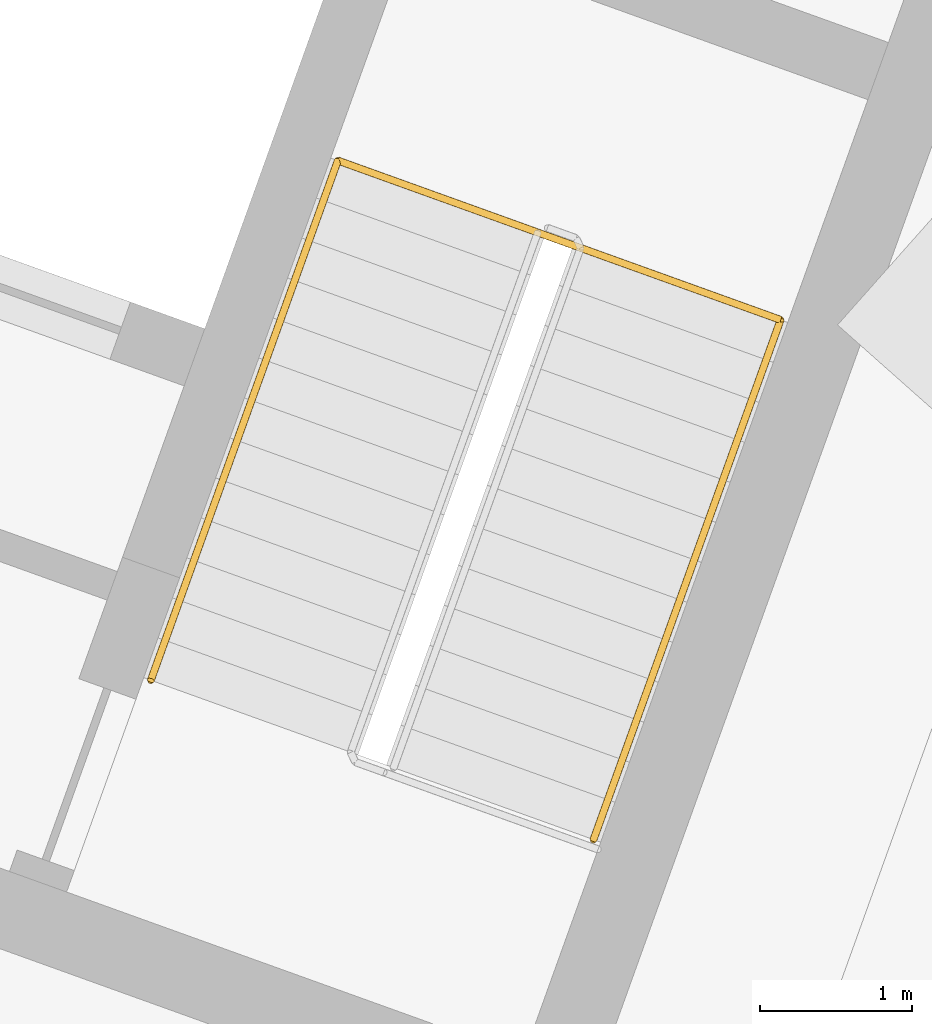
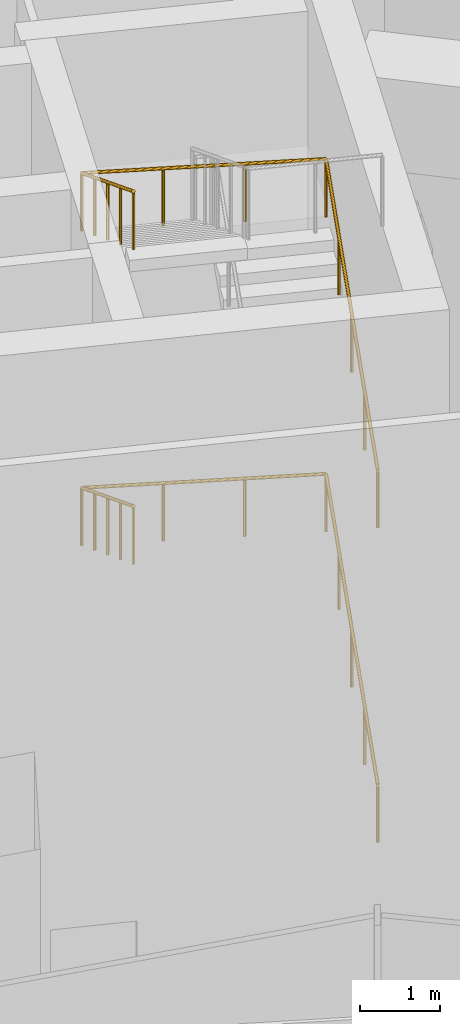
# One storey, part 20 of 20: 2 railings.
"""IFC4 building model written with IfcOpenShell, lengths in metres."""

from ifc_helpers import new_model, si_unit, direction, frame, origin, origin_2d, place, context, subcontext, project, spatial, circle, extrude, material, type_object, element, save


model = new_model("IFC4")

# Units and contexts
model_context = context("Model", 3, precision=1e-05, world=origin(), true_north=direction((0.0, 1.0)))
body_context = subcontext(model_context, "Body", "Model", "MODEL_VIEW")
ifc_project = project(units=[si_unit("LENGTHUNIT", "METRE"), si_unit("AREAUNIT", "SQUARE_METRE"), si_unit("VOLUMEUNIT", "CUBIC_METRE"), si_unit("PLANEANGLEUNIT", "RADIAN"), si_unit("MASSUNIT", "GRAM", prefix="KILO")], contexts=[model_context])

# Site, building, storey
site_placement = place(None, origin())
site = spatial("IfcSite", under=ifc_project, at=site_placement, CompositionType="ELEMENT")
building_placement = place(site_placement, origin())
building = spatial("IfcBuilding", under=site, at=building_placement, Name="Stone Belt Terrace Tower", CompositionType="ELEMENT")
storey_placement = place(building_placement, frame((0.0, 0.0, 323.0)))
storey = spatial("IfcBuildingStorey", under=building, at=storey_placement, Name="L78", CompositionType="ELEMENT", Elevation=323.0)

# Railings
ifc_material = material(Name="Structural steel C345", Category="steel")
railing_type = type_object("IfcRailingType", Name="Stair handrail 900", PredefinedType="HANDRAIL", material=ifc_material)
railing_1_placement = place(storey_placement, frame((25.8115234375, 44.700439453125, 0.17138671875)))
element("IfcRailing", 1, at=railing_1_placement, inside=storey, type_object=railing_type, Name="L78 ST1B stair handrail 1", PredefinedType="HANDRAIL", context=body_context, shape_type="SweptSolid", body=[
    extrude(circle(Radius=0.02392578125, at=origin_2d()), frame((0.0, 0.0, 0.8759765625), z_axis=(0.288822101159, 0.802455225799, 0.522156494233), x_axis=(-0.940910495972, 0.338655338905, 0.0)), (0.0, 0.0, 1.0), 4.267822265625),
    extrude(circle(Radius=0.02392578125, at=origin_2d()), frame((1.232666015625, 3.4248046875, 3.1044921875), z_axis=(-0.939480897333, 0.338112475605, 0.055277458221), x_axis=(-0.338630230244, -0.940919532779, 0.0)), (0.0, 0.0, 1.0), 3.10498046875),
    extrude(circle(Radius=0.02392578125, at=origin_2d()), frame((-1.684326171875, 4.474609375, 3.27587890625), z_axis=(-0.288769667877, -0.802468482762, 0.52216512052), x_axis=(0.940931867255, -0.338595955653, 0.0)), (0.0, 0.0, 1.0), 4.267822265625),
    extrude(circle(Radius=0.02099609375, at=origin_2d()), origin(), (0.0, 0.0, 1.0), 0.851806640625),
    extrude(circle(Radius=0.02099609375, at=origin_2d()), frame((0.30810546875, 0.856201171875, 0.55712890625)), (0.0, 0.0, 1.0), 0.851806640625),
    extrude(circle(Radius=0.02099609375, at=origin_2d()), frame((0.6162109375, 1.71240234375, 1.1142578125)), (0.0, 0.0, 1.0), 0.851806640625),
    extrude(circle(Radius=0.02099609375, at=origin_2d()), frame((0.924560546875, 2.568603515625, 1.67138671875)), (0.0, 0.0, 1.0), 0.851806640625),
    extrude(circle(Radius=0.02099609375, at=origin_2d()), frame((1.232666015625, 3.4248046875, 2.228515625)), (0.0, 0.0, 1.0), 0.851806640625),
    extrude(circle(Radius=0.02099609375, at=origin_2d()), frame((0.26025390625, 3.774658203125, 2.28564453125)), (0.0, 0.0, 1.0), 0.851806640625),
    extrude(circle(Radius=0.02099609375, at=origin_2d()), frame((-0.7119140625, 4.124755859375, 2.343017578125)), (0.0, 0.0, 1.0), 0.851806640625),
    extrude(circle(Radius=0.02099609375, at=origin_2d()), frame((-1.684326171875, 4.474609375, 2.400146484375)), (0.0, 0.0, 1.0), 0.851806640625),
    extrude(circle(Radius=0.02099609375, at=origin_2d()), frame((-1.992431640625, 3.618408203125, 2.957275390625)), (0.0, 0.0, 1.0), 0.851806640625),
    extrude(circle(Radius=0.02099609375, at=origin_2d()), frame((-2.300537109375, 2.76220703125, 3.514404296875)), (0.0, 0.0, 1.0), 0.851806640625),
    extrude(circle(Radius=0.02099609375, at=origin_2d()), frame((-2.608642578125, 1.906005859375, 4.071533203125)), (0.0, 0.0, 1.0), 0.851806640625),
    extrude(circle(Radius=0.02099609375, at=origin_2d()), frame((-2.916748046875, 1.0498046875, 4.628662109375)), (0.0, 0.0, 1.0), 0.851806640625),
])
railing_2_placement = place(storey_placement, frame((25.8115234375, 44.700439453125, 4.971435546875)))
element("IfcRailing", 2, at=railing_2_placement, inside=storey, type_object=railing_type, Name="L78 ST1B stair handrail 2", PredefinedType="HANDRAIL", context=body_context, shape_type="SweptSolid", body=[
    extrude(circle(Radius=0.02392578125, at=origin_2d()), frame((0.0, 0.0, 0.8759765625), z_axis=(0.288822101159, 0.802455225799, 0.522156494233), x_axis=(-0.940910495972, 0.338655338905, 0.0)), (0.0, 0.0, 1.0), 4.267822265625),
    extrude(circle(Radius=0.02392578125, at=origin_2d()), frame((1.232666015625, 3.4248046875, 3.1044921875), z_axis=(-0.939484977919, 0.338113944179, 0.055199067166), x_axis=(-0.338630230244, -0.940919532779, 0.0)), (0.0, 0.0, 1.0), 3.10498046875),
    extrude(circle(Radius=0.02392578125, at=origin_2d()), frame((-1.684326171875, 4.474609375, 3.27587890625), z_axis=(-0.288761042145, -0.802444512521, 0.522206726177), x_axis=(0.940931867255, -0.338595955653, 0.0)), (0.0, 0.0, 1.0), 4.26806640625),
    extrude(circle(Radius=0.02099609375, at=origin_2d()), origin(), (0.0, 0.0, 1.0), 0.851806640625),
    extrude(circle(Radius=0.02099609375, at=origin_2d()), frame((0.30810546875, 0.856201171875, 0.55712890625)), (0.0, 0.0, 1.0), 0.851806640625),
    extrude(circle(Radius=0.02099609375, at=origin_2d()), frame((0.6162109375, 1.71240234375, 1.1142578125)), (0.0, 0.0, 1.0), 0.851806640625),
    extrude(circle(Radius=0.02099609375, at=origin_2d()), frame((0.924560546875, 2.568603515625, 1.67138671875)), (0.0, 0.0, 1.0), 0.851806640625),
    extrude(circle(Radius=0.02099609375, at=origin_2d()), frame((1.232666015625, 3.4248046875, 2.228515625)), (0.0, 0.0, 1.0), 0.851806640625),
    extrude(circle(Radius=0.02099609375, at=origin_2d()), frame((0.26025390625, 3.774658203125, 2.28564453125)), (0.0, 0.0, 1.0), 0.851806640625),
    extrude(circle(Radius=0.02099609375, at=origin_2d()), frame((-0.7119140625, 4.124755859375, 2.3427734375)), (0.0, 0.0, 1.0), 0.851806640625),
    extrude(circle(Radius=0.02099609375, at=origin_2d()), frame((-1.684326171875, 4.474609375, 2.39990234375)), (0.0, 0.0, 1.0), 0.851806640625),
    extrude(circle(Radius=0.02099609375, at=origin_2d()), frame((-1.992431640625, 3.618408203125, 2.95703125)), (0.0, 0.0, 1.0), 0.851806640625),
    extrude(circle(Radius=0.02099609375, at=origin_2d()), frame((-2.300537109375, 2.76220703125, 3.51416015625)), (0.0, 0.0, 1.0), 0.851806640625),
    extrude(circle(Radius=0.02099609375, at=origin_2d()), frame((-2.608642578125, 1.906005859375, 4.071533203125)), (0.0, 0.0, 1.0), 0.851806640625),
    extrude(circle(Radius=0.02099609375, at=origin_2d()), frame((-2.916748046875, 1.0498046875, 4.628662109375)), (0.0, 0.0, 1.0), 0.851806640625),
])

save(model, "model.ifc")
